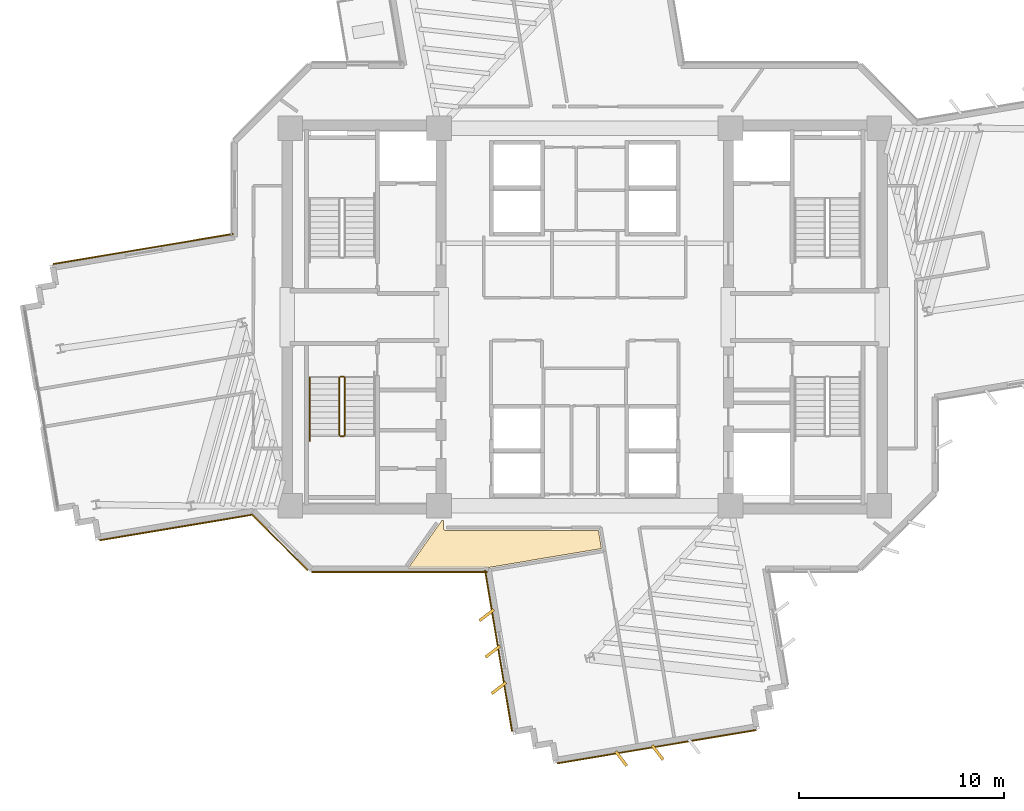
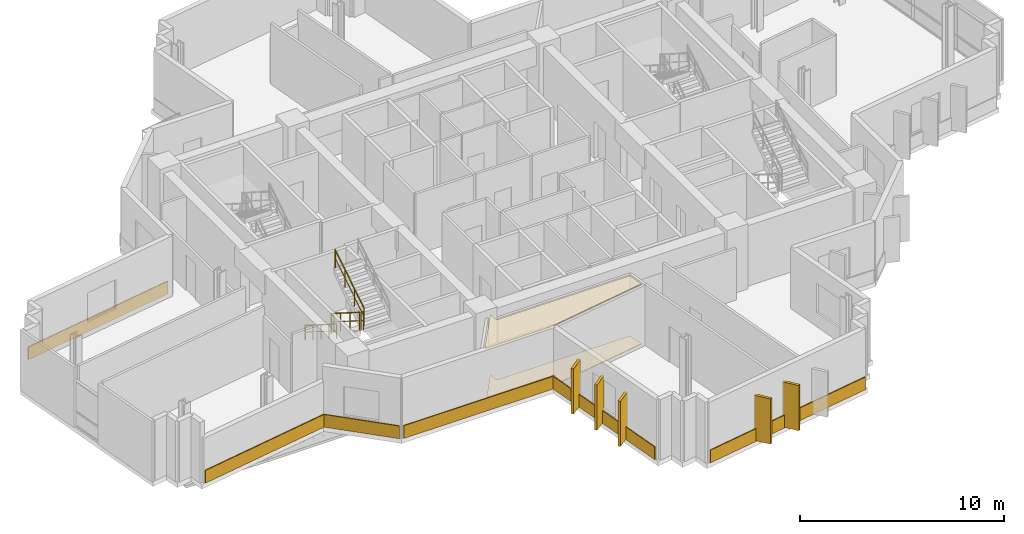
# One storey, part 12 of 15: 13 coverings, 5 railings.
"""IFC4 building model written with IfcOpenShell, lengths in metres."""

from ifc_helpers import new_model, si_unit, direction, frame, origin, origin_2d, place, context, subcontext, project, spatial, polyline, rectangle, outline, extrude, source, transform, mapped, material, layer, layer_set, type_object, element, save


model = new_model("IFC4")

# Units and contexts
model_context = context("Model", 3, precision=1e-05, world=origin(), true_north=direction((0.0, 1.0)))
body_context = subcontext(model_context, "Body", "Model", "MODEL_VIEW")
ifc_project = project(units=[si_unit("LENGTHUNIT", "METRE"), si_unit("AREAUNIT", "SQUARE_METRE"), si_unit("VOLUMEUNIT", "CUBIC_METRE"), si_unit("PLANEANGLEUNIT", "RADIAN"), si_unit("MASSUNIT", "GRAM", prefix="KILO")], contexts=[model_context])

# Site, building, storey
site_placement = place(None, origin())
site = spatial("IfcSite", under=ifc_project, at=site_placement, CompositionType="ELEMENT")
building_placement = place(site_placement, origin())
building = spatial("IfcBuilding", under=site, at=building_placement, Name="Zahravan Cultural Tower", CompositionType="ELEMENT")
storey_placement = place(building_placement, frame((0.0, 0.0, 139.5)))
storey = spatial("IfcBuildingStorey", under=building, at=storey_placement, Name="L31", CompositionType="ELEMENT", Elevation=139.5)

# Coverings
ifc_material_1 = material(Name="Acoustic mineral fibreboard")
ifc_layer_1 = layer(ifc_material_1, 0.0400390625)
ifc_layer_set_1 = layer_set([ifc_layer_1], Name="Acoustic mineral fibreboard")
covering_type_1 = type_object("IfcCoveringType", Name="COV-CEIL-AC20", PredefinedType="CEILING", material=ifc_layer_set_1)
covering_1_placement = place(storey_placement, frame((0.0, 0.0, 3.580078125)))
element("IfcCovering", 1, at=covering_1_placement, inside=storey, type_object=covering_type_1, Name="L31 Acoustic Suspended Ceiling", PredefinedType="CEILING", context=body_context, shape_type="SweptSolid", body=[
    extrude(outline(polyline([(27.39453125, 14.760009765625), (31.079345703125, 14.760009765625), (36.81298828125, 15.719482421875), (36.66552734375, 16.60009765625), (29.22607421875, 16.600341796875), (29.1474609375, 16.637451171875), (29.1103515625, 16.716064453125), (29.110107421875, 17.10009765625), (29.047119140625, 17.10009765625), (27.39453125, 14.760009765625)])), origin(), (0.0, 0.0, 1.0), 0.0400390625),
])
ifc_material_2 = material(Name="Terrazzo flooring")
ifc_layer_2 = layer(ifc_material_2, 0.02490234375)
ifc_layer_set_2 = layer_set([ifc_layer_2], Name="Terrazzo flooring")
covering_type_2 = type_object("IfcCoveringType", Name="COV-FLR-TZ25", PredefinedType="FLOORING", material=ifc_layer_set_2)
covering_2_placement = place(storey_placement, origin())
element("IfcCovering", 2, at=covering_2_placement, inside=storey, type_object=covering_type_2, Name="L31 Polished Terrazzo Flooring", PredefinedType="FLOORING", context=body_context, shape_type="SweptSolid", body=[
    extrude(outline(polyline([(27.39453125, 14.760009765625), (31.079345703125, 14.760009765625), (36.81298828125, 15.719482421875), (36.66552734375, 16.60009765625), (29.22607421875, 16.600341796875), (29.1474609375, 16.637451171875), (29.1103515625, 16.716064453125), (29.110107421875, 17.10009765625), (29.047119140625, 17.10009765625), (27.39453125, 14.760009765625)])), origin(), (0.0, 0.0, 1.0), 0.02490234375),
])

# Railings
ifc_material_3 = material(Name="Steel ASTM A572 Grade 50", Category="steel")
railing_type_1 = type_object("IfcRailingType", Name="RL-STAIR-GRD1150", PredefinedType="BALUSTRADE", material=ifc_material_3)
railing_1_placement = place(storey_placement, frame((24.050048828125, 24.050048828125, 0.17724609375)))
element("IfcRailing", 3, at=railing_1_placement, inside=storey, type_object=railing_type_1, Name="L31 ST-W2 stair guard 1", PredefinedType="BALUSTRADE", context=body_context, shape_type="SweptSolid", body=[
    extrude(rectangle(XDim=0.05, YDim=0.05, at=origin_2d()), frame((0.0, 0.0, 1.0751953125), z_axis=(0.0, -0.844908973607, 0.534910110503), x_axis=(1.0, 0.0, 0.0)), (0.0, 0.0, 1.0), 3.31396484375),
    extrude(rectangle(XDim=0.032, YDim=0.032, at=origin_2d()), frame((0.0, 0.0, 0.572021484375), z_axis=(0.0, -0.844908973607, 0.534910110503), x_axis=(1.0, 0.0, 0.0)), (0.0, 0.0, 1.0), 3.31396484375),
    extrude(rectangle(XDim=0.04, YDim=0.04, at=origin_2d()), origin(), (0.0, 0.0, 1.0), 1.10009765625),
    extrude(rectangle(XDim=0.04, YDim=0.04, at=origin_2d()), frame((0.0, -0.933349609375, 0.5908203125)), (0.0, 0.0, 1.0), 1.10009765625),
    extrude(rectangle(XDim=0.04, YDim=0.04, at=origin_2d()), frame((0.0, -1.86669921875, 1.181884765625)), (0.0, 0.0, 1.0), 1.10009765625),
    extrude(rectangle(XDim=0.04, YDim=0.04, at=origin_2d()), frame((0.0, -2.800048828125, 1.772705078125)), (0.0, 0.0, 1.0), 1.10009765625),
])
railing_2_placement = place(storey_placement, frame((24.10009765625, 21.199951171875, 1.949951171875)))
element("IfcRailing", 4, at=railing_2_placement, inside=storey, type_object=railing_type_1, Name="L31 ST-W2 stair guard 2", PredefinedType="BALUSTRADE", context=body_context, shape_type="SweptSolid", body=[
    extrude(rectangle(XDim=0.05, YDim=0.05, at=origin_2d()), frame((0.0, 0.0, 1.0751953125), z_axis=(1.0, 0.0, 0.0), x_axis=(0.0, 1.0, 0.0)), (0.0, 0.0, 1.0), 0.14990234375),
    extrude(rectangle(XDim=0.032, YDim=0.032, at=origin_2d()), frame((0.0, 0.0, 0.572021484375), z_axis=(1.0, 0.0, 0.0), x_axis=(0.0, 1.0, 0.0)), (0.0, 0.0, 1.0), 0.14990234375),
    extrude(rectangle(XDim=0.04, YDim=0.04, at=origin_2d()), origin(), (0.0, 0.0, 1.0), 1.10009765625),
    extrude(rectangle(XDim=0.04, YDim=0.04, at=origin_2d()), frame((0.14990234375, 0.0, 0.0)), (0.0, 0.0, 1.0), 1.10009765625),
])
railing_3_placement = place(storey_placement, frame((24.300048828125, 21.25, 2.127197265625)))
element("IfcRailing", 5, at=railing_3_placement, inside=storey, type_object=railing_type_1, Name="L31 ST-W2 stair guard 3", PredefinedType="BALUSTRADE", context=body_context, shape_type="SweptSolid", body=[
    extrude(rectangle(XDim=0.05, YDim=0.05, at=origin_2d()), frame((0.0, 0.0, 1.0751953125), z_axis=(0.0, 0.844908973607, 0.534910110503), x_axis=(-1.0, 0.0, 0.0)), (0.0, 0.0, 1.0), 3.31396484375),
    extrude(rectangle(XDim=0.032, YDim=0.032, at=origin_2d()), frame((0.0, 0.0, 0.572021484375), z_axis=(0.0, 0.844908973607, 0.534910110503), x_axis=(-1.0, 0.0, 0.0)), (0.0, 0.0, 1.0), 3.31396484375),
    extrude(rectangle(XDim=0.04, YDim=0.04, at=origin_2d()), origin(), (0.0, 0.0, 1.0), 1.10009765625),
    extrude(rectangle(XDim=0.04, YDim=0.04, at=origin_2d()), frame((0.0, 0.933349609375, 0.5908203125)), (0.0, 0.0, 1.0), 1.10009765625),
    extrude(rectangle(XDim=0.04, YDim=0.04, at=origin_2d()), frame((0.0, 1.86669921875, 1.181884765625)), (0.0, 0.0, 1.0), 1.10009765625),
    extrude(rectangle(XDim=0.04, YDim=0.04, at=origin_2d()), frame((0.0, 2.800048828125, 1.772705078125)), (0.0, 0.0, 1.0), 1.10009765625),
])
railing_4_placement = place(storey_placement, frame((24.10009765625, 24.10009765625, 0.0)))
element("IfcRailing", 6, at=railing_4_placement, inside=storey, type_object=railing_type_1, Name="L31 ST-W2 stair guard 4", PredefinedType="BALUSTRADE", context=body_context, shape_type="SweptSolid", body=[
    extrude(rectangle(XDim=0.05, YDim=0.05, at=origin_2d()), frame((0.0, 0.0, 1.0751953125), z_axis=(1.0, 0.0, 0.0), x_axis=(0.0, 1.0, 0.0)), (0.0, 0.0, 1.0), 0.14990234375),
    extrude(rectangle(XDim=0.032, YDim=0.032, at=origin_2d()), frame((0.0, 0.0, 0.572021484375), z_axis=(1.0, 0.0, 0.0), x_axis=(0.0, 1.0, 0.0)), (0.0, 0.0, 1.0), 0.14990234375),
    extrude(rectangle(XDim=0.04, YDim=0.04, at=origin_2d()), origin(), (0.0, 0.0, 1.0), 1.10009765625),
    extrude(rectangle(XDim=0.04, YDim=0.04, at=origin_2d()), frame((0.14990234375, 0.0, 0.0)), (0.0, 0.0, 1.0), 1.10009765625),
])
railing_type_2 = type_object("IfcRailingType", Name="RL-STAIR-HR900", PredefinedType="HANDRAIL", material=ifc_material_3)
railing_5_placement = place(storey_placement, frame((22.60009765625, 24.050048828125, 0.17724609375)))
element("IfcRailing", 7, at=railing_5_placement, inside=storey, type_object=railing_type_2, Name="L31 ST-W2 stair handrail 1", PredefinedType="HANDRAIL", context=body_context, shape_type="SweptSolid", body=[
    extrude(rectangle(XDim=0.05, YDim=0.05, at=origin_2d()), frame((0.0, 0.0, 0.875), z_axis=(0.0, -0.844913916606, 0.534902302785), x_axis=(1.0, 0.0, 0.0)), (0.0, 0.0, 1.0), 3.6455078125),
    extrude(rectangle(XDim=0.032, YDim=0.032, at=origin_2d()), frame((0.0, 0.0, 0.468017578125), z_axis=(0.0, -0.844913916606, 0.534902302785), x_axis=(1.0, 0.0, 0.0)), (0.0, 0.0, 1.0), 3.6455078125),
    extrude(rectangle(XDim=0.04, YDim=0.04, at=origin_2d()), origin(), (0.0, 0.0, 1.0), 0.89990234375),
    extrude(rectangle(XDim=0.04, YDim=0.04, at=origin_2d()), frame((0.0, -0.77001953125, 0.487548828125)), (0.0, 0.0, 1.0), 0.89990234375),
    extrude(rectangle(XDim=0.04, YDim=0.04, at=origin_2d()), frame((0.0, -1.5400390625, 0.97509765625)), (0.0, 0.0, 1.0), 0.89990234375),
    extrude(rectangle(XDim=0.04, YDim=0.04, at=origin_2d()), frame((0.0, -2.31005859375, 1.46240234375)), (0.0, 0.0, 1.0), 0.89990234375),
    extrude(rectangle(XDim=0.04, YDim=0.04, at=origin_2d()), frame((0.0, -3.080078125, 1.949951171875)), (0.0, 0.0, 1.0), 0.89990234375),
])

# Coverings
ifc_material_4 = material(Name="Terracotta ceramic cladding", Category="masonry")
ifc_layer_3 = layer(ifc_material_4, 0.06005859375)
ifc_layer_set_3 = layer_set([ifc_layer_3], Name="Terracotta ceramic cladding")
covering_type_3 = type_object("IfcCoveringType", Name="COV-CLAD-TC60", PredefinedType="CLADDING", material=ifc_layer_set_3)
shared_shape_1 = source(origin(), body_context, "Body", "SweptSolid", [
    extrude(rectangle(XDim=9.820068359375, YDim=0.06005859375, at=origin_2d()), origin(), (0.0, 0.0, 1.0), 0.760009765625),
])
covering_3_placement = place(storey_placement, frame((39.503173828125, 6.066162109375, 0.02001953125), z_axis=(0.0, 0.0, 1.0), x_axis=(-0.986285601537, -0.165047605861, 0.0)))
element("IfcCovering", 8, at=covering_3_placement, inside=storey, type_object=covering_type_3, Name="L31 Terracotta Spandrel Cladding 19", PredefinedType="CLADDING", context=body_context, shape_type="MappedRepresentation", body=[
    mapped(shared_shape_1, transform((0.0, 0.0, 0.0), x_axis=(1.0, 0.0, 0.0), y_axis=(0.0, 1.0, 0.0), z_axis=(0.0, 0.0, 1.0), scale=1.0)),
])
shared_shape_2 = source(origin(), body_context, "Body", "SweptSolid", [
    extrude(rectangle(XDim=7.573486328125, YDim=0.06005859375, at=origin_2d()), origin(), (0.0, 0.0, 1.0), 0.760009765625),
])
covering_4_placement = place(storey_placement, frame((16.095703125, 16.749267578125, 0.02001953125), z_axis=(0.0, 0.0, 1.0), x_axis=(-0.986285601537, -0.165047605861, 0.0)))
element("IfcCovering", 9, at=covering_4_placement, inside=storey, type_object=covering_type_3, Name="L31 Terracotta Spandrel Cladding 27", PredefinedType="CLADDING", context=body_context, shape_type="MappedRepresentation", body=[
    mapped(shared_shape_2, transform((0.0, 0.0, 0.0), x_axis=(1.0, 0.0, 0.0), y_axis=(0.0, 1.0, 0.0), z_axis=(0.0, 0.0, 1.0), scale=1.0)),
])
shared_shape_3 = source(origin(), body_context, "Body", "SweptSolid", [
    extrude(rectangle(XDim=0.8798828125, YDim=0.139892578125, at=origin_2d()), origin(), (0.0, 0.0, 1.0), 2.699951171875),
])
for number, where, z_axis, x_axis, name in (
    (10, (39.55029296875, 5.784912109375, 0.0498046875), (0.0, 0.0, 1.0), (0.608761429009, -0.793353340291, 0.0), "L31 Herringbone Terracotta Fin 14"),
    (11, (37.77490234375, 5.48779296875, 0.0498046875), (0.0, 0.0, 1.0), (0.608761429009, -0.793353340291, 0.0), "L31 Herringbone Terracotta Fin 15"),
    (12, (31.816162109375, 8.923583984375, 0.0498046875), (0.0, 0.0, 1.0), (-0.793353340291, -0.608761429009, 0.0), "L31 Herringbone Terracotta Fin 16"),
    (13, (31.51904296875, 10.698974609375, 0.0498046875), (0.0, 0.0, 1.0), (-0.793353340291, -0.608761429009, 0.0), "L31 Herringbone Terracotta Fin 17"),
    (14, (31.221923828125, 12.47412109375, 0.0498046875), (0.0, 0.0, 1.0), (-0.793353340291, -0.608761429009, 0.0), "L31 Herringbone Terracotta Fin 18"),
):
    element("IfcCovering", number, at=place(storey_placement, frame(where, z_axis=z_axis, x_axis=x_axis)), inside=storey, type_object=covering_type_3, Name=name, PredefinedType="CLADDING", context=body_context, shape_type="MappedRepresentation", body=[
        mapped(shared_shape_3, transform((0.0, 0.0, 0.0), x_axis=(1.0, 0.0, 0.0), y_axis=(0.0, 1.0, 0.0), z_axis=(0.0, 0.0, 1.0), scale=1.0)),
    ])
shared_shape_4 = source(origin(), body_context, "Body", "SweptSolid", [
    extrude(rectangle(XDim=8.877197265625, YDim=0.06005859375, at=origin_2d()), origin(), (0.0, 0.0, 1.0), 0.760009765625),
])
covering_5_placement = place(storey_placement, frame((14.485595703125, 30.319580078125, 0.02001953125), z_axis=(0.0, 0.0, 1.0), x_axis=(0.986285601537, 0.165047605861, 0.0)))
element("IfcCovering", 15, at=covering_5_placement, inside=storey, type_object=covering_type_3, Name="L31 Terracotta Spandrel Cladding 36", PredefinedType="CLADDING", context=body_context, shape_type="MappedRepresentation", body=[
    mapped(shared_shape_4, transform((0.0, 0.0, 0.0), x_axis=(1.0, 0.0, 0.0), y_axis=(0.0, 1.0, 0.0), z_axis=(0.0, 0.0, 1.0), scale=1.0)),
])
shared_shape_5 = source(origin(), body_context, "Body", "SweptSolid", [
    extrude(rectangle(XDim=7.944091796875, YDim=0.06005859375, at=origin_2d()), origin(), (0.0, 0.0, 1.0), 0.760009765625),
])
covering_6_placement = place(storey_placement, frame((31.800048828125, 10.745849609375, 0.02001953125), z_axis=(0.0, 0.0, 1.0), x_axis=(-0.165047605861, 0.986285601537, 0.0)))
element("IfcCovering", 16, at=covering_6_placement, inside=storey, type_object=covering_type_3, Name="L31 Terracotta Spandrel Cladding 24", PredefinedType="CLADDING", context=body_context, shape_type="MappedRepresentation", body=[
    mapped(shared_shape_5, transform((0.0, 0.0, 0.0), x_axis=(1.0, 0.0, 0.0), y_axis=(0.0, 1.0, 0.0), z_axis=(0.0, 0.0, 1.0), scale=1.0)),
])
shared_shape_6 = source(origin(), body_context, "Body", "SweptSolid", [
    extrude(rectangle(XDim=8.541015625, YDim=0.06005859375, at=origin_2d()), origin(), (0.0, 0.0, 1.0), 0.760009765625),
])
covering_7_placement = place(storey_placement, frame((26.978515625, 14.574951171875, 0.02001953125), z_axis=(0.0, 0.0, 1.0), x_axis=(-1.0, 0.0, 0.0)))
element("IfcCovering", 17, at=covering_7_placement, inside=storey, type_object=covering_type_3, Name="L31 Terracotta Spandrel Cladding 25", PredefinedType="CLADDING", context=body_context, shape_type="MappedRepresentation", body=[
    mapped(shared_shape_6, transform((0.0, 0.0, 0.0), x_axis=(1.0, 0.0, 0.0), y_axis=(0.0, 1.0, 0.0), z_axis=(0.0, 0.0, 1.0), scale=1.0)),
])
shared_shape_7 = source(origin(), body_context, "Body", "SweptSolid", [
    extrude(rectangle(XDim=3.8671875, YDim=0.06005859375, at=origin_2d()), origin(), (0.0, 0.0, 1.0), 0.760009765625),
])
covering_8_placement = place(storey_placement, frame((21.138671875, 16.02587890625, 0.02001953125), z_axis=(0.0, 0.0, 1.0), x_axis=(-0.707106781187, 0.707106781187, 0.0)))
element("IfcCovering", 18, at=covering_8_placement, inside=storey, type_object=covering_type_3, Name="L31 Terracotta Spandrel Cladding 26", PredefinedType="CLADDING", context=body_context, shape_type="MappedRepresentation", body=[
    mapped(shared_shape_7, transform((0.0, 0.0, 0.0), x_axis=(1.0, 0.0, 0.0), y_axis=(0.0, 1.0, 0.0), z_axis=(0.0, 0.0, 1.0), scale=1.0)),
])

save(model, "model.ifc")
